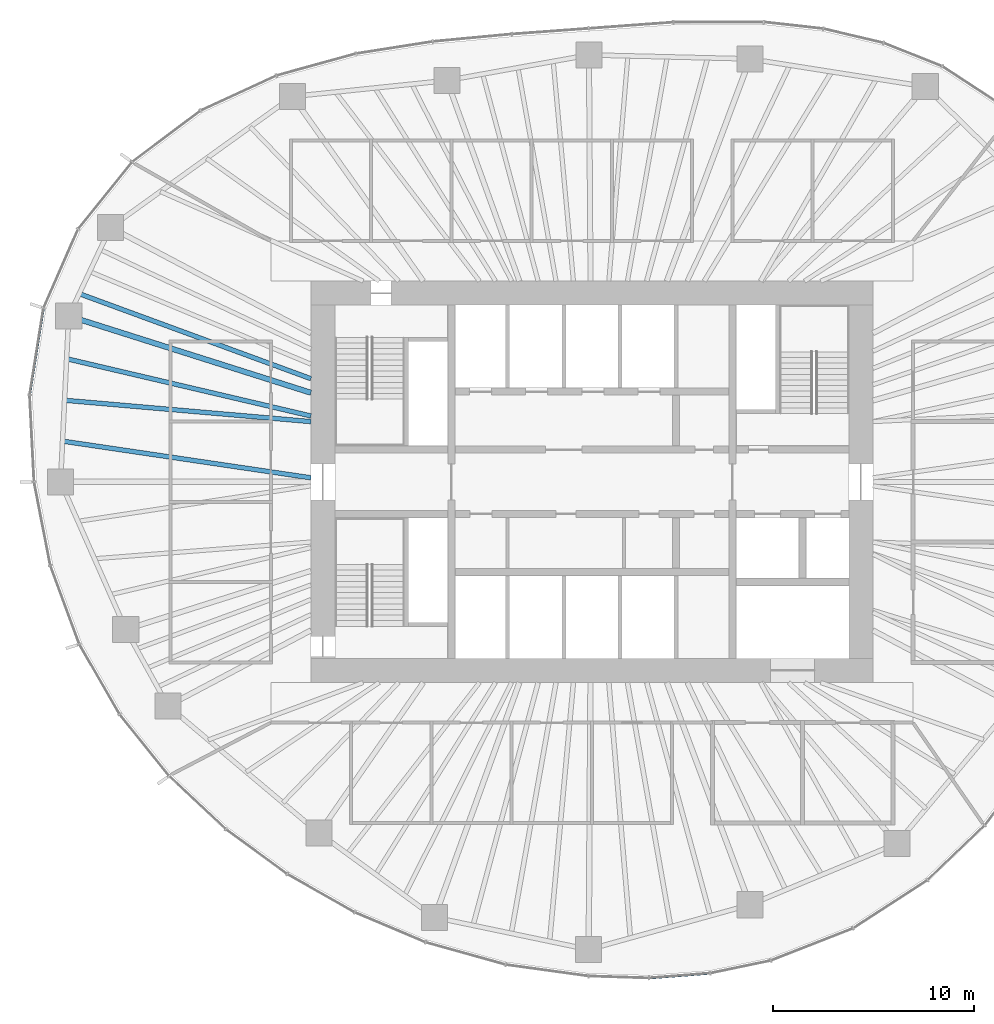
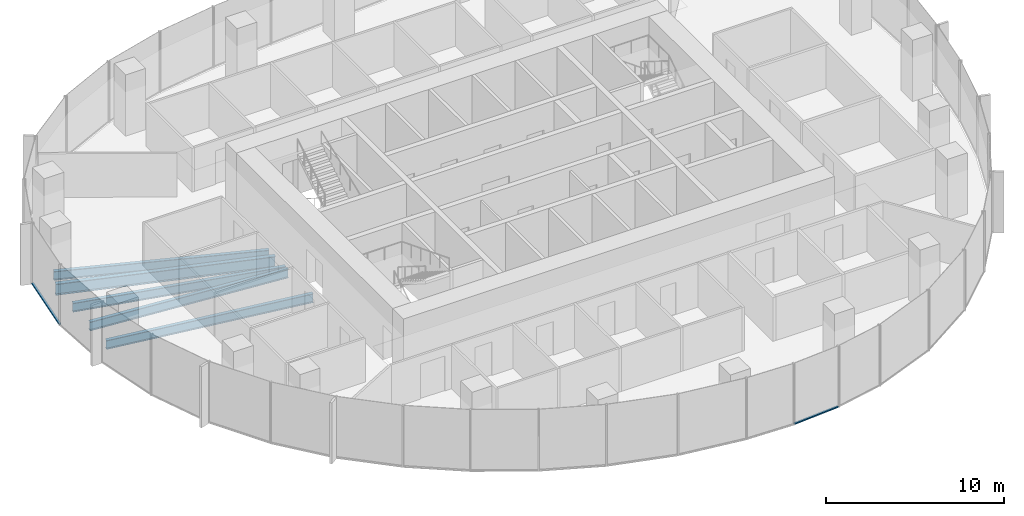
# One storey, part 3 of 12: 5 beams, 2 members, 2 elements without a shape of their own.
"""IFC4 building model written with IfcOpenShell, lengths in metres."""

from ifc_helpers import new_model, si_unit, direction, frame, origin, origin_2d, place, context, subcontext, project, spatial, rectangle, i_section, extrude, material, material_profile, profile_set, type_object, element, aggregate, save


model = new_model("IFC4")

# Units and contexts
model_context = context("Model", 3, precision=1e-05, world=origin(), true_north=direction((0.0, 1.0)))
body_context = subcontext(model_context, "Body", "Model", "MODEL_VIEW")
ifc_project = project(units=[si_unit("LENGTHUNIT", "METRE"), si_unit("AREAUNIT", "SQUARE_METRE"), si_unit("VOLUMEUNIT", "CUBIC_METRE"), si_unit("PLANEANGLEUNIT", "RADIAN"), si_unit("MASSUNIT", "GRAM", prefix="KILO")], contexts=[model_context])

# Site, building, storey
site_placement = place(None, origin())
site = spatial("IfcSite", under=ifc_project, at=site_placement, CompositionType="ELEMENT")
building_placement = place(site_placement, origin())
building = spatial("IfcBuilding", under=site, at=building_placement, Name="Ghaith Harvest Tower", CompositionType="ELEMENT")
storey_placement = place(building_placement, frame((0.0, 0.0, 203.199951171875)))
storey = spatial("IfcBuildingStorey", under=building, at=storey_placement, Name="L44", CompositionType="ELEMENT", Elevation=203.199951171875)

# Curtain wall, member
ifc_material_1 = material(Name="Black anodised aluminium and fritted glass", Category="aluminium")
curtain_wall_type = type_object("IfcCurtainWallType", Name="CW-H CURTAIN WALL", PredefinedType="NOTDEFINED", material=ifc_material_1)
curtain_wall_1_placement = place(storey_placement, origin())
curtain_wall_1 = element("IfcCurtainWall", 1, at=curtain_wall_1_placement, inside=storey, type_object=curtain_wall_type, Name="Curtain wall CW-H bay 10 L44", PredefinedType="NOTDEFINED")
ifc_material_2 = material(Name="Aluminium, black anodised", Category="aluminium")
ifc_material_profile_1 = material_profile(ifc_material_2, rectangle(XDim=0.1298828125, YDim=0.080078125, at=origin_2d()), Name="CW-H TRANSOM 130x80")
ifc_profile_set_1 = profile_set([ifc_material_profile_1], Name="Aluminium, black anodised")
member_type = type_object("IfcMemberType", Name="CW-H TRANSOM 130x80", PredefinedType="USERDEFINED", material=ifc_profile_set_1)
member_1_placement = place(storey_placement, frame((-27.33203125, 8.62060546875, 0.0400390625), z_axis=(-0.157492444441, -0.98752019217, 0.0), x_axis=(0.98752019217, -0.157492444441, 0.0)))
member_1 = element("IfcMember", 2, at=member_1_placement, type_object=member_type, Name="CW-H transom 1 bay 10 L44", ObjectType="TRANSOM", PredefinedType="USERDEFINED", context=body_context, shape_type="SweptSolid", body=[
    extrude(rectangle(XDim=0.1298828125, YDim=0.080078125, at=origin_2d()), origin(), (0.0, 0.0, 1.0), 4.3017578125),
])
aggregate(curtain_wall_1, [member_1])

curtain_wall_2_placement = place(storey_placement, origin())
curtain_wall_2 = element("IfcCurtainWall", 3, at=curtain_wall_2_placement, inside=storey, type_object=curtain_wall_type, Name="Curtain wall CW-H bay 16 L44", PredefinedType="NOTDEFINED")
member_2_placement = place(storey_placement, frame((2.8876953125, -24.71826171875, 0.0400390625), z_axis=(0.996949781933, 0.078045706505, 0.0), x_axis=(-0.078045706505, 0.996949781933, 0.0)))
member_2 = element("IfcMember", 4, at=member_2_placement, type_object=member_type, Name="CW-H transom 2 bay 16 L44", ObjectType="TRANSOM", PredefinedType="USERDEFINED", context=body_context, shape_type="SweptSolid", body=[
    extrude(rectangle(XDim=0.1298828125, YDim=0.080078125, at=origin_2d()), origin(), (0.0, 0.0, 1.0), 2.974853515625),
])
aggregate(curtain_wall_2, [member_2])

# Beams
ifc_material_3 = material(Name="Steel ASTM A992 Grade 50", Category="steel")
ifc_material_profile_2 = material_profile(ifc_material_3, i_section(OverallWidth=0.26806640625, OverallDepth=0.77001953125, WebThickness=0.015625, FlangeThickness=0.025390625, at=origin_2d()), Name="W760X196")
ifc_profile_set_2 = profile_set([ifc_material_profile_2], Name="Steel ASTM A992 Grade 50")
beam_type_1 = type_object("IfcBeamType", Name="G760-196 W760X196", PredefinedType="BEAM", material=ifc_profile_set_2)
beam_1_placement = place(storey_placement, frame((-14.0, 4.43701171875, -0.554931640625), z_axis=(-0.953278738841, 0.302092115212, 0.0), x_axis=(-0.302092115212, -0.953278738841, 0.0)))
element("IfcBeam", 5, at=beam_1_placement, inside=storey, type_object=beam_type_1, Name="Radial girder G10 L44", PredefinedType="BEAM", context=body_context, shape_type="SweptSolid", body=[
    extrude(i_section(OverallWidth=0.26806640625, OverallDepth=0.77001953125, WebThickness=0.015625, FlangeThickness=0.025390625, at=origin_2d()), origin(), (0.0, 0.0, 1.0), 12.658203125),
])
ifc_material_4 = material(Name="Steel ASTM A992 Grade 50", Category="steel")
ifc_material_profile_3 = material_profile(ifc_material_4, i_section(OverallWidth=0.22900390625, OverallDepth=0.612060546875, WebThickness=0.011962890625, FlangeThickness=0.01953125, at=origin_2d()), Name="W610X125")
ifc_profile_set_3 = profile_set([ifc_material_profile_3], Name="Steel ASTM A992 Grade 50")
beam_type_2 = type_object("IfcBeamType", Name="J610-125 W610X125", PredefinedType="JOIST", material=ifc_profile_set_3)
beam_2_placement = place(storey_placement, frame((-14.0, 5.137939453125, -0.475830078125), z_axis=(-0.938775301049, 0.344530019216, 0.0), x_axis=(-0.344530019216, -0.938775301049, 0.0)))
element("IfcBeam", 6, at=beam_2_placement, inside=storey, type_object=beam_type_2, Name="Joist J09.3 L44", PredefinedType="JOIST", context=body_context, shape_type="SweptSolid", body=[
    extrude(i_section(OverallWidth=0.22900390625, OverallDepth=0.612060546875, WebThickness=0.011962890625, FlangeThickness=0.01953125, at=origin_2d()), origin(), (0.0, 0.0, 1.0), 12.295166015625),
])
beam_3_placement = place(storey_placement, frame((-14.0, 3.280517578125, -0.475830078125), z_axis=(-0.973621665777, 0.228168472691, 0.0), x_axis=(-0.228168472691, -0.973621665777, 0.0)))
element("IfcBeam", 7, at=beam_3_placement, inside=storey, type_object=beam_type_2, Name="Joist J10.1 L44", PredefinedType="JOIST", context=body_context, shape_type="SweptSolid", body=[
    extrude(i_section(OverallWidth=0.22900390625, OverallDepth=0.612060546875, WebThickness=0.011962890625, FlangeThickness=0.01953125, at=origin_2d()), origin(), (0.0, 0.0, 1.0), 12.501953125),
])
beam_4_placement = place(storey_placement, frame((-14.0, 3.0, -0.475830078125), z_axis=(-0.996265900996, 0.086338024716, 0.0), x_axis=(-0.086338024716, -0.996265900996, 0.0)))
element("IfcBeam", 8, at=beam_4_placement, inside=storey, type_object=beam_type_2, Name="Joist J10.2 L44", PredefinedType="JOIST", context=body_context, shape_type="SweptSolid", body=[
    extrude(i_section(OverallWidth=0.22900390625, OverallDepth=0.612060546875, WebThickness=0.011962890625, FlangeThickness=0.01953125, at=origin_2d()), origin(), (0.0, 0.0, 1.0), 12.3203125),
])
beam_5_placement = place(storey_placement, frame((-14.0, 0.199951171875, -0.475830078125), z_axis=(-0.989269378665, 0.146103033631, 0.0), x_axis=(-0.146103033631, -0.989269378665, 0.0)))
element("IfcBeam", 9, at=beam_5_placement, inside=storey, type_object=beam_type_2, Name="Joist J10.3 L44", PredefinedType="JOIST", context=body_context, shape_type="SweptSolid", body=[
    extrude(i_section(OverallWidth=0.22900390625, OverallDepth=0.612060546875, WebThickness=0.011962890625, FlangeThickness=0.01953125, at=origin_2d()), origin(), (0.0, 0.0, 1.0), 12.50927734375),
])

save(model, "model.ifc")
